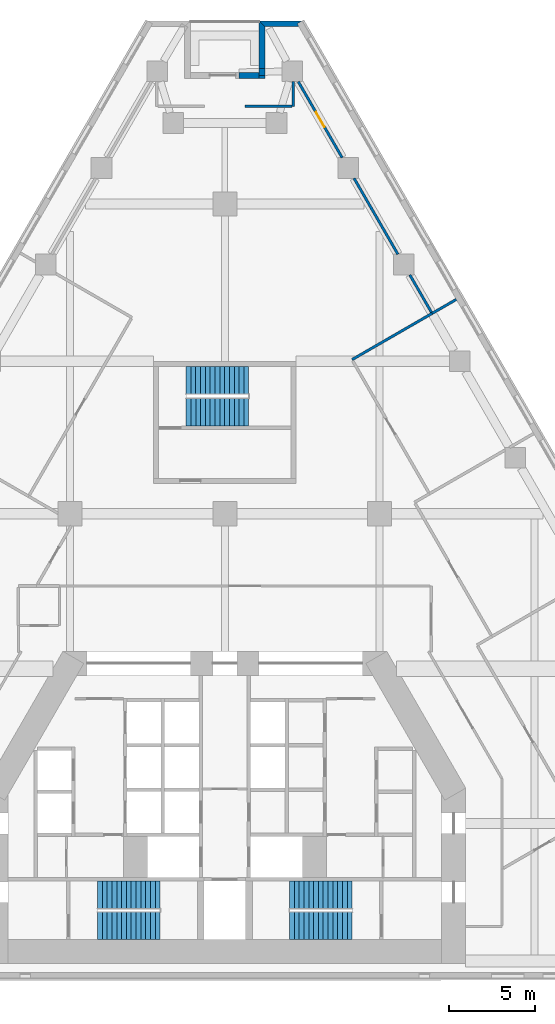
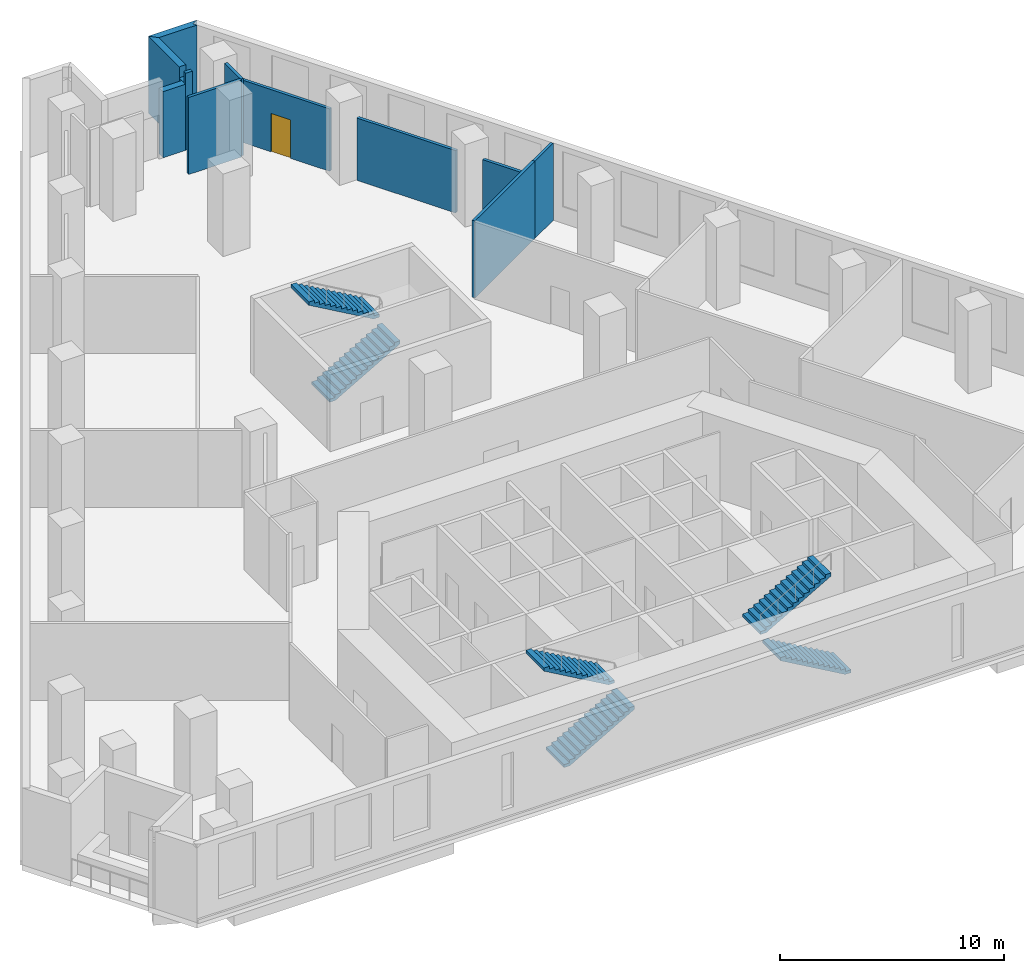
# One storey, part 9 of 10: 12 walls, 6 stair flights, 1 door, 1 opening, 3 elements without a shape of their own.
"""IFC4 building model written with IfcOpenShell, lengths in metres."""

from ifc_helpers import new_model, si_unit, direction, frame, frame_2d, origin, place, context, subcontext, project, spatial, polyline, rectangle, outline, extrude, material, layer, layer_set, type_object, element, fill, aggregate, save


model = new_model("IFC4")

# Units and contexts
model_context = context("Model", 3, precision=1e-05, world=origin(), true_north=direction((0.0, 1.0)))
body_context = subcontext(model_context, "Body", "Model", "MODEL_VIEW")
ifc_project = project(units=[si_unit("LENGTHUNIT", "METRE"), si_unit("AREAUNIT", "SQUARE_METRE"), si_unit("VOLUMEUNIT", "CUBIC_METRE"), si_unit("PLANEANGLEUNIT", "RADIAN"), si_unit("MASSUNIT", "GRAM", prefix="KILO")], contexts=[model_context])

# Site, building, storey
site_placement = place(None, origin())
site = spatial("IfcSite", under=ifc_project, at=site_placement, CompositionType="ELEMENT")
building_placement = place(site_placement, origin())
building = spatial("IfcBuilding", under=site, at=building_placement, Name="Fogline Exchange Tower", CompositionType="ELEMENT")
storey_placement = place(building_placement, frame((0.0, 0.0, 43.0)))
storey = spatial("IfcBuildingStorey", under=building, at=storey_placement, Name="L08", CompositionType="ELEMENT", Elevation=43.0)

# Walls
ifc_material_1 = material(Name="Brick masonry", Category="masonry")
ifc_layer_1 = layer(ifc_material_1, 0.340087890625)
ifc_layer_set_1 = layer_set([ifc_layer_1], Name="FW1")
wall_type_1 = type_object("IfcWallType", Name="FW1", PredefinedType="SOLIDWALL", material=ifc_layer_set_1)
wall_1_placement = place(storey_placement, origin())
element("IfcWall", 1, at=wall_1_placement, inside=storey, type_object=wall_type_1, Name="Brick wall L08 N-c1", PredefinedType="SOLIDWALL", context=body_context, shape_type="SweptSolid", body=[
    extrude(outline(polyline([(1.9990234375, 55.647216796875), (4.5009765625, 55.647216796875), (4.501220703125, 55.646728515625), (4.206298828125, 55.476318359375), (4.3046875, 55.30615234375), (2.33984375, 55.30615234375), (1.998779296875, 55.64697265625), (1.9990234375, 55.647216796875)])), origin(), (0.0, 0.0, 1.0), 4.199951171875),
])
wall_2_placement = place(storey_placement, origin())
element("IfcWall", 2, at=wall_2_placement, inside=storey, type_object=wall_type_1, Name="Brick wall L08 N-s1", PredefinedType="SOLIDWALL", context=body_context, shape_type="SweptSolid", body=[
    extrude(outline(polyline([(1.99951171875, 52.876953125), (2.340576171875, 52.883056640625), (2.340576171875, 52.483154296875), (1.99951171875, 52.476806640625), (1.99951171875, 52.876953125)])), origin(), (0.0, 0.0, 1.0), 3.60009765625),
])
wall_3_placement = place(storey_placement, origin())
element("IfcWall", 3, at=wall_3_placement, inside=storey, type_object=wall_type_1, Name="Brick wall L08 N-s1", PredefinedType="SOLIDWALL", context=body_context, shape_type="SweptSolid", body=[
    extrude(outline(polyline([(1.99951171875, 52.30615234375), (1.99951171875, 52.476806640625), (2.340576171875, 52.483154296875), (2.340576171875, 52.30615234375), (1.99951171875, 52.30615234375)])), origin(), (0.0, 0.0, 1.0), 4.199951171875),
])
wall_4_placement = place(storey_placement, origin())
element("IfcWall", 4, at=wall_4_placement, inside=storey, type_object=wall_type_1, Name="Brick wall L08 N-s1", PredefinedType="SOLIDWALL", context=body_context, shape_type="SweptSolid", body=[
    extrude(outline(polyline([(1.99951171875, 55.647705078125), (1.999755859375, 55.647705078125), (2.340576171875, 55.306884765625), (2.340576171875, 52.883056640625), (1.99951171875, 52.876953125), (1.99951171875, 55.647705078125)])), origin(), (0.0, 0.0, 1.0), 4.199951171875),
])
wall_5_placement = place(storey_placement, frame((2.0, 52.4765625, 0.0), z_axis=(0.0, 0.0, 1.0), x_axis=(-1.0, 0.0, 0.0)))
element("IfcWall", 5, at=wall_5_placement, inside=storey, type_object=wall_type_1, Name="Brick wall L08 N-bk", PredefinedType="SOLIDWALL", context=body_context, shape_type="SweptSolid", body=[
    extrude(rectangle(XDim=1.175537109375, YDim=0.340087890625, at=frame_2d((0.587890625, 0.0))), origin(), (0.0, 0.0, 1.0), 3.60009765625),
])
ifc_material_2 = material(Name="Plasterboard demising partition with mineral wool and acoustic board")
ifc_layer_2 = layer(ifc_material_2, 0.14990234375)
ifc_layer_set_2 = layer_set([ifc_layer_2], Name="PW3")
wall_type_2 = type_object("IfcWallType", Name="PW3", PredefinedType="PARTITIONING", material=ifc_layer_set_2)
wall_6_placement = place(storey_placement, frame((7.392822265625, 35.9560546875, 0.0), z_axis=(0.0, 0.0, 1.0), x_axis=(0.866028186671, 0.499995179869, 0.0)))
element("IfcWall", 6, at=wall_6_placement, inside=storey, type_object=wall_type_2, Name="wall-L08-W019", PredefinedType="PARTITIONING", context=body_context, shape_type="SweptSolid", body=[
    extrude(rectangle(XDim=5.37255859375, YDim=0.14990234375, at=frame_2d((2.686279296875, 0.0))), origin(), (0.0, 0.0, 1.0), 4.199951171875),
])
wall_7_placement = place(storey_placement, frame((12.045654296875, 38.642333984375, 0.0), z_axis=(0.0, 0.0, 1.0), x_axis=(0.866028203713, 0.499995150351, 0.0)))
element("IfcWall", 7, at=wall_7_placement, inside=storey, type_object=wall_type_2, Name="wall-L08-W021", PredefinedType="PARTITIONING", context=body_context, shape_type="SweptSolid", body=[
    extrude(rectangle(XDim=1.62744140625, YDim=0.14990234375, at=frame_2d((0.813720703125, 0.0))), origin(), (0.0, 0.0, 1.0), 4.199951171875),
])
wall_8_placement = place(storey_placement, frame((1.169677734375, 50.67919921875, 0.0), z_axis=(0.0, 0.0, 1.0), x_axis=(1.0, 0.0, 0.0)))
element("IfcWall", 8, at=wall_8_placement, inside=storey, type_object=wall_type_2, Name="wall-L08-W026", PredefinedType="PARTITIONING", context=body_context, shape_type="SweptSolid", body=[
    extrude(rectangle(XDim=2.722900390625, YDim=0.14990234375, at=frame_2d((1.361328125, 0.0))), origin(), (0.0, 0.0, 1.0), 4.199951171875),
])
wall_9_placement = place(storey_placement, frame((3.967529296875, 50.67919921875, 0.0), z_axis=(0.0, 0.0, 1.0), x_axis=(0.0, 1.0, 0.0)))
element("IfcWall", 9, at=wall_9_placement, inside=storey, type_object=wall_type_2, Name="wall-L08-W027", PredefinedType="PARTITIONING", context=body_context, shape_type="SweptSolid", body=[
    extrude(rectangle(XDim=1.4326171875, YDim=0.14990234375, at=frame_2d((0.71630859375, 0.0))), origin(), (0.0, 0.0, 1.0), 4.199951171875),
])

# Wall, opening, door
wall_10_placement = place(storey_placement, frame((4.26904296875, 52.11181640625, 0.0), z_axis=(0.0, 0.0, 1.0), x_axis=(0.499991921166, -0.866030068051, 0.0)))
wall_10 = element("IfcWall", 10, at=wall_10_placement, inside=storey, type_object=wall_type_2, Name="wall-L08-W028", PredefinedType="PARTITIONING", context=body_context, shape_type="SweptSolid", body=[
    extrude(rectangle(XDim=5.09765625, YDim=0.14990234375, at=frame_2d((2.548828125, 0.0))), origin(), (0.0, 0.0, 1.0), 3.39990234375),
])
opening_placement = place(wall_10_placement, frame((2.048828125, 0.0, 0.0)))
opening = element("IfcOpeningElement", 11, at=opening_placement, cuts=wall_10, Name="Opening T02-D008", PredefinedType="OPENING", context=body_context, shape_type="SweptSolid", body=[
    extrude(rectangle(XDim=1.0, YDim=2.10009765625, at=frame_2d((0.5, 1.050048828125))), frame((0.0, 0.0849609375, 0.0), z_axis=(0.0, -1.0, 0.0), x_axis=(1.0, 0.0, 0.0)), (0.0, 0.0, 1.0), 0.169921875),
])
ifc_material_3 = material(Name="Fire-rated timber door leaf with steel frame", Category="steel")
door_type = type_object("IfcDoorType", Name="D3", OperationType="SINGLE_SWING_LEFT", PredefinedType="DOOR", material=ifc_material_3)
door_placement = place(opening_placement, origin())
door = element("IfcDoor", 12, at=door_placement, inside=storey, type_object=door_type, Name="door-L08-D008", OperationType="SINGLE_SWING_RIGHT", OverallHeight=2.10009765625, OverallWidth=1.0, PredefinedType="DOOR", context=body_context, shape_type="SweptSolid", body=[
    extrude(rectangle(XDim=1.0, YDim=2.10009765625, at=frame_2d((0.5, 1.050048828125))), frame((0.0, 0.02490234375, 0.0), z_axis=(0.0, -1.0, 0.0), x_axis=(1.0, 0.0, 0.0)), (0.0, 0.0, 1.0), 0.050048828125),
])
fill(opening, door)

# Walls
wall_11_placement = place(storey_placement, frame((7.5107421875, 46.4970703125, 0.0), z_axis=(0.0, 0.0, 1.0), x_axis=(0.499991921166, -0.866030068051, 0.0)))
element("IfcWall", 13, at=wall_11_placement, inside=storey, type_object=wall_type_2, Name="wall-L08-W029", PredefinedType="PARTITIONING", context=body_context, shape_type="SweptSolid", body=[
    extrude(rectangle(XDim=5.09765625, YDim=0.14990234375, at=frame_2d((2.548828125, 0.0))), origin(), (0.0, 0.0, 1.0), 3.39990234375),
])
wall_12_placement = place(storey_placement, frame((10.75244140625, 40.88232421875, 0.0), z_axis=(0.0, 0.0, 1.0), x_axis=(0.499997360652, -0.866026927608, 0.0)))
element("IfcWall", 14, at=wall_12_placement, inside=storey, type_object=wall_type_2, Name="wall-L08-W030", PredefinedType="PARTITIONING", context=body_context, shape_type="SweptSolid", body=[
    extrude(rectangle(XDim=2.51123046875, YDim=0.14990234375, at=frame_2d((1.255615234375, 0.0))), origin(), (0.0, 0.0, 1.0), 3.39990234375),
])

# Stair, stair flights
ifc_material_4 = material(Name="Concrete C40", Category="concrete")
stair_type = type_object("IfcStairType", Name="STR28-1607", PredefinedType="HALF_TURN_STAIR", material=ifc_material_4)
stair_1_placement = place(storey_placement, origin())
stair_1 = element("IfcStair", 15, at=stair_1_placement, inside=storey, type_object=stair_type, Name="Stair ST1", PredefinedType="HALF_TURN_STAIR")
stair_flight_type = type_object("IfcStairFlightType", Name="SF14-1607", PredefinedType="STRAIGHT", material=ifc_material_4)
stair_flight_1_placement = place(storey_placement, frame((-7.39990234375, 3.050048828125, 0.0), z_axis=(0.0, 0.0, 1.0), x_axis=(1.0, 0.0, 0.0)))
stair_flight_1 = element("IfcStairFlight", 16, at=stair_flight_1_placement, type_object=stair_flight_type, Name="ST1 flight 1", NumberOfRisers=14, NumberOfTreads=13, PredefinedType="STRAIGHT", RiserHeight=0.160714286, TreadLength=0.28, context=body_context, shape_type="SweptSolid", body=[
    extrude(outline(polyline([(0.0, 0.0), (0.0, 0.16064453125), (0.280029296875, 0.16064453125), (0.280029296875, 0.321533203125), (0.56005859375, 0.321533203125), (0.56005859375, 0.482177734375), (0.840087890625, 0.482177734375), (0.840087890625, 0.642822265625), (1.1201171875, 0.642822265625), (1.1201171875, 0.803466796875), (1.39990234375, 0.803466796875), (1.39990234375, 0.96435546875), (1.679931640625, 0.96435546875), (1.679931640625, 1.125), (1.9599609375, 1.125), (1.9599609375, 1.28564453125), (2.239990234375, 1.28564453125), (2.239990234375, 1.446533203125), (2.52001953125, 1.446533203125), (2.52001953125, 1.607177734375), (2.800048828125, 1.607177734375), (2.800048828125, 1.767822265625), (3.080078125, 1.767822265625), (3.080078125, 1.928466796875), (3.360107421875, 1.928466796875), (3.360107421875, 2.08935546875), (3.639892578125, 2.08935546875), (3.639892578125, 2.25), (3.639892578125, 1.91650390625), (0.301025390625, 0.0), (0.0, 0.0)])), frame((0.0, 0.800048828125, 0.0), z_axis=(0.0, -1.0, 0.0), x_axis=(1.0, 0.0, 0.0)), (0.0, 0.0, 1.0), 1.60009765625),
])
stair_flight_2_placement = place(storey_placement, frame((-3.760009765625, 4.85009765625, 2.25), z_axis=(0.0, 0.0, 1.0), x_axis=(-1.0, 0.0, 0.0)))
stair_flight_2 = element("IfcStairFlight", 17, at=stair_flight_2_placement, type_object=stair_flight_type, Name="ST1 flight 2", NumberOfRisers=14, NumberOfTreads=13, PredefinedType="STRAIGHT", RiserHeight=0.160714286, TreadLength=0.28, context=body_context, shape_type="SweptSolid", body=[
    extrude(outline(polyline([(0.0, 0.0), (0.0, 0.16064453125), (0.280029296875, 0.16064453125), (0.280029296875, 0.321533203125), (0.56005859375, 0.321533203125), (0.56005859375, 0.482177734375), (0.840087890625, 0.482177734375), (0.840087890625, 0.642822265625), (1.1201171875, 0.642822265625), (1.1201171875, 0.803466796875), (1.39990234375, 0.803466796875), (1.39990234375, 0.96435546875), (1.679931640625, 0.96435546875), (1.679931640625, 1.125), (1.9599609375, 1.125), (1.9599609375, 1.28564453125), (2.239990234375, 1.28564453125), (2.239990234375, 1.446533203125), (2.52001953125, 1.446533203125), (2.52001953125, 1.607177734375), (2.800048828125, 1.607177734375), (2.800048828125, 1.767822265625), (3.080078125, 1.767822265625), (3.080078125, 1.928466796875), (3.360107421875, 1.928466796875), (3.360107421875, 2.08935546875), (3.639892578125, 2.08935546875), (3.639892578125, 2.25), (3.639892578125, 1.91650390625), (0.301025390625, 0.0), (0.0, 0.0)])), frame((0.0, 0.800048828125, 0.0), z_axis=(0.0, -1.0, 0.0), x_axis=(1.0, 0.0, 0.0)), (0.0, 0.0, 1.0), 1.60009765625),
])
aggregate(stair_1, [stair_flight_1, stair_flight_2])

stair_2_placement = place(storey_placement, origin())
stair_2 = element("IfcStair", 18, at=stair_2_placement, inside=storey, type_object=stair_type, Name="Stair ST2", PredefinedType="HALF_TURN_STAIR")
stair_flight_3_placement = place(storey_placement, frame((7.39990234375, 3.050048828125, 0.0), z_axis=(0.0, 0.0, 1.0), x_axis=(-1.0, 0.0, 0.0)))
stair_flight_3 = element("IfcStairFlight", 19, at=stair_flight_3_placement, type_object=stair_flight_type, Name="ST2 flight 1", NumberOfRisers=14, NumberOfTreads=13, PredefinedType="STRAIGHT", RiserHeight=0.160714286, TreadLength=0.28, context=body_context, shape_type="SweptSolid", body=[
    extrude(outline(polyline([(0.0, 0.0), (0.0, 0.16064453125), (0.280029296875, 0.16064453125), (0.280029296875, 0.321533203125), (0.56005859375, 0.321533203125), (0.56005859375, 0.482177734375), (0.840087890625, 0.482177734375), (0.840087890625, 0.642822265625), (1.1201171875, 0.642822265625), (1.1201171875, 0.803466796875), (1.39990234375, 0.803466796875), (1.39990234375, 0.96435546875), (1.679931640625, 0.96435546875), (1.679931640625, 1.125), (1.9599609375, 1.125), (1.9599609375, 1.28564453125), (2.239990234375, 1.28564453125), (2.239990234375, 1.446533203125), (2.52001953125, 1.446533203125), (2.52001953125, 1.607177734375), (2.800048828125, 1.607177734375), (2.800048828125, 1.767822265625), (3.080078125, 1.767822265625), (3.080078125, 1.928466796875), (3.360107421875, 1.928466796875), (3.360107421875, 2.08935546875), (3.639892578125, 2.08935546875), (3.639892578125, 2.25), (3.639892578125, 1.91650390625), (0.301025390625, 0.0), (0.0, 0.0)])), frame((0.0, 0.800048828125, 0.0), z_axis=(0.0, -1.0, 0.0), x_axis=(1.0, 0.0, 0.0)), (0.0, 0.0, 1.0), 1.60009765625),
])
stair_flight_4_placement = place(storey_placement, frame((3.760009765625, 4.85009765625, 2.25), z_axis=(0.0, 0.0, 1.0), x_axis=(1.0, 0.0, 0.0)))
stair_flight_4 = element("IfcStairFlight", 20, at=stair_flight_4_placement, type_object=stair_flight_type, Name="ST2 flight 2", NumberOfRisers=14, NumberOfTreads=13, PredefinedType="STRAIGHT", RiserHeight=0.160714286, TreadLength=0.28, context=body_context, shape_type="SweptSolid", body=[
    extrude(outline(polyline([(0.0, 0.0), (0.0, 0.16064453125), (0.280029296875, 0.16064453125), (0.280029296875, 0.321533203125), (0.56005859375, 0.321533203125), (0.56005859375, 0.482177734375), (0.840087890625, 0.482177734375), (0.840087890625, 0.642822265625), (1.1201171875, 0.642822265625), (1.1201171875, 0.803466796875), (1.39990234375, 0.803466796875), (1.39990234375, 0.96435546875), (1.679931640625, 0.96435546875), (1.679931640625, 1.125), (1.9599609375, 1.125), (1.9599609375, 1.28564453125), (2.239990234375, 1.28564453125), (2.239990234375, 1.446533203125), (2.52001953125, 1.446533203125), (2.52001953125, 1.607177734375), (2.800048828125, 1.607177734375), (2.800048828125, 1.767822265625), (3.080078125, 1.767822265625), (3.080078125, 1.928466796875), (3.360107421875, 1.928466796875), (3.360107421875, 2.08935546875), (3.639892578125, 2.08935546875), (3.639892578125, 2.25), (3.639892578125, 1.91650390625), (0.301025390625, 0.0), (0.0, 0.0)])), frame((0.0, 0.800048828125, 0.0), z_axis=(0.0, -1.0, 0.0), x_axis=(1.0, 0.0, 0.0)), (0.0, 0.0, 1.0), 1.60009765625),
])
aggregate(stair_2, [stair_flight_3, stair_flight_4])

stair_3_placement = place(storey_placement, origin())
stair_3 = element("IfcStair", 21, at=stair_3_placement, inside=storey, type_object=stair_type, Name="Stair ST3", PredefinedType="HALF_TURN_STAIR")
stair_flight_5_placement = place(storey_placement, frame((-2.25, 32.906982421875, 0.0), z_axis=(0.0, 0.0, 1.0), x_axis=(1.0, 0.0, 0.0)))
stair_flight_5 = element("IfcStairFlight", 22, at=stair_flight_5_placement, type_object=stair_flight_type, Name="ST3 flight 1", NumberOfRisers=14, NumberOfTreads=13, PredefinedType="STRAIGHT", RiserHeight=0.160714286, TreadLength=0.28, context=body_context, shape_type="SweptSolid", body=[
    extrude(outline(polyline([(0.0, 0.0), (0.0, 0.16064453125), (0.280029296875, 0.16064453125), (0.280029296875, 0.321533203125), (0.56005859375, 0.321533203125), (0.56005859375, 0.482177734375), (0.840087890625, 0.482177734375), (0.840087890625, 0.642822265625), (1.1201171875, 0.642822265625), (1.1201171875, 0.803466796875), (1.39990234375, 0.803466796875), (1.39990234375, 0.96435546875), (1.679931640625, 0.96435546875), (1.679931640625, 1.125), (1.9599609375, 1.125), (1.9599609375, 1.28564453125), (2.239990234375, 1.28564453125), (2.239990234375, 1.446533203125), (2.52001953125, 1.446533203125), (2.52001953125, 1.607177734375), (2.800048828125, 1.607177734375), (2.800048828125, 1.767822265625), (3.080078125, 1.767822265625), (3.080078125, 1.928466796875), (3.360107421875, 1.928466796875), (3.360107421875, 2.08935546875), (3.639892578125, 2.08935546875), (3.639892578125, 2.25), (3.639892578125, 1.91650390625), (0.301025390625, 0.0), (0.0, 0.0)])), frame((0.0, 0.800048828125, 0.0), z_axis=(0.0, -1.0, 0.0), x_axis=(1.0, 0.0, 0.0)), (0.0, 0.0, 1.0), 1.60009765625),
])
stair_flight_6_placement = place(storey_placement, frame((1.389892578125, 34.757080078125, 2.25), z_axis=(0.0, 0.0, 1.0), x_axis=(-1.0, 0.0, 0.0)))
stair_flight_6 = element("IfcStairFlight", 23, at=stair_flight_6_placement, type_object=stair_flight_type, Name="ST3 flight 2", NumberOfRisers=14, NumberOfTreads=13, PredefinedType="STRAIGHT", RiserHeight=0.160714286, TreadLength=0.28, context=body_context, shape_type="SweptSolid", body=[
    extrude(outline(polyline([(0.0, 0.0), (0.0, 0.16064453125), (0.280029296875, 0.16064453125), (0.280029296875, 0.321533203125), (0.56005859375, 0.321533203125), (0.56005859375, 0.482177734375), (0.840087890625, 0.482177734375), (0.840087890625, 0.642822265625), (1.1201171875, 0.642822265625), (1.1201171875, 0.803466796875), (1.39990234375, 0.803466796875), (1.39990234375, 0.96435546875), (1.679931640625, 0.96435546875), (1.679931640625, 1.125), (1.9599609375, 1.125), (1.9599609375, 1.28564453125), (2.239990234375, 1.28564453125), (2.239990234375, 1.446533203125), (2.52001953125, 1.446533203125), (2.52001953125, 1.607177734375), (2.800048828125, 1.607177734375), (2.800048828125, 1.767822265625), (3.080078125, 1.767822265625), (3.080078125, 1.928466796875), (3.360107421875, 1.928466796875), (3.360107421875, 2.08935546875), (3.639892578125, 2.08935546875), (3.639892578125, 2.25), (3.639892578125, 1.91650390625), (0.301025390625, 0.0), (0.0, 0.0)])), frame((0.0, 0.800048828125, 0.0), z_axis=(0.0, -1.0, 0.0), x_axis=(1.0, 0.0, 0.0)), (0.0, 0.0, 1.0), 1.60009765625),
])
aggregate(stair_3, [stair_flight_5, stair_flight_6])

save(model, "model.ifc")
